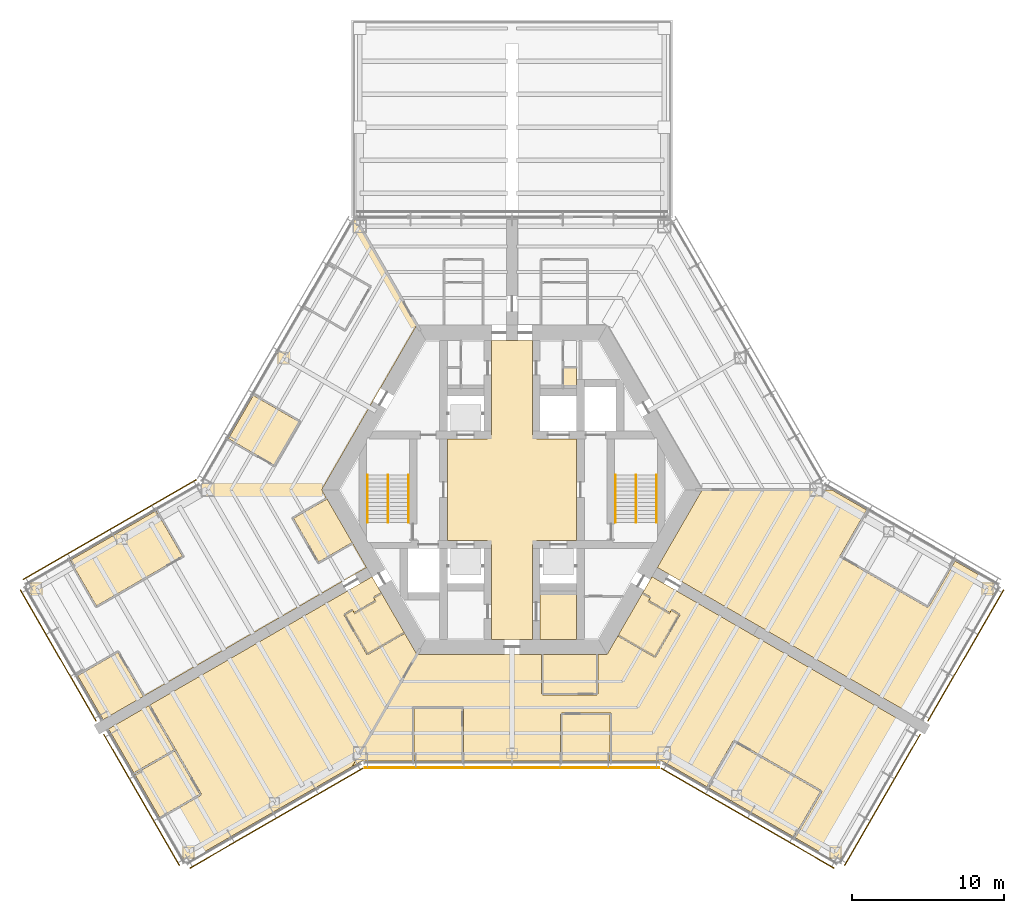
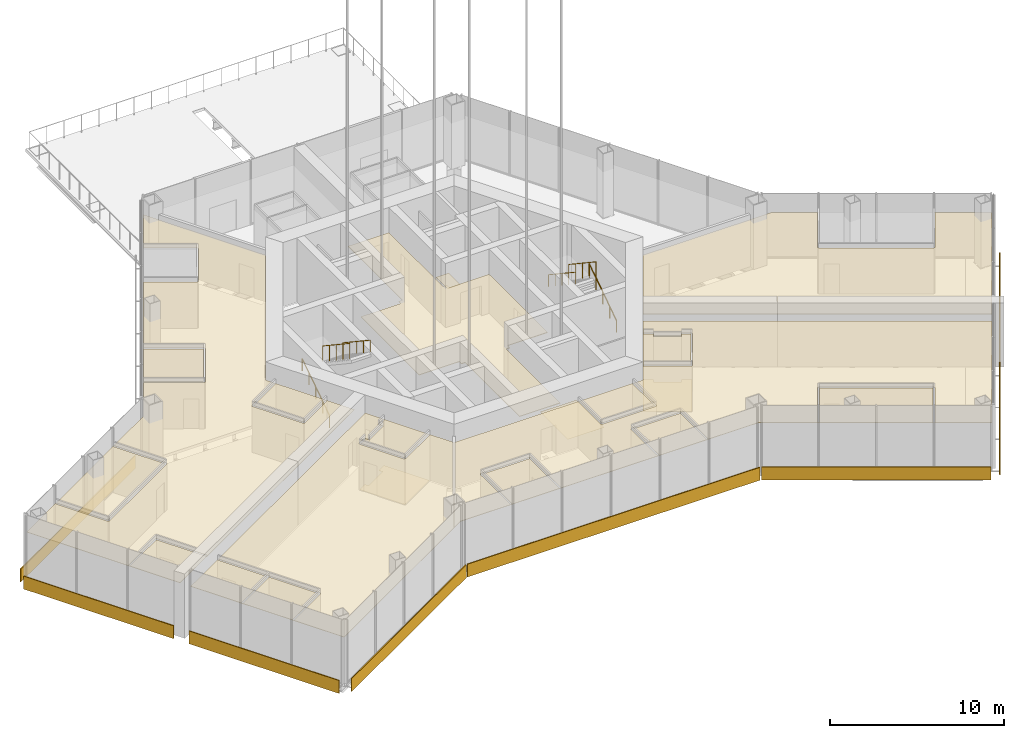
# One storey, part 16 of 18: 21 coverings, 8 shading devices, 6 railings.
"""IFC4 building model written with IfcOpenShell, lengths in metres."""

from ifc_helpers import new_model, si_unit, direction, frame, origin, origin_2d, place, context, subcontext, project, spatial, polyline, rectangle, circle, outline, extrude, material, layer, layer_set, type_object, element, save


model = new_model("IFC4")

# Units and contexts
model_context = context("Model", 3, precision=1e-05, world=origin(), true_north=direction((0.0, 1.0)))
body_context = subcontext(model_context, "Body", "Model", "MODEL_VIEW")
ifc_project = project(units=[si_unit("LENGTHUNIT", "METRE"), si_unit("AREAUNIT", "SQUARE_METRE"), si_unit("VOLUMEUNIT", "CUBIC_METRE"), si_unit("PLANEANGLEUNIT", "RADIAN"), si_unit("MASSUNIT", "GRAM", prefix="KILO")], contexts=[model_context])

# Site, building, storey
site_placement = place(None, origin())
site = spatial("IfcSite", under=ifc_project, at=site_placement, CompositionType="ELEMENT")
building_placement = place(site_placement, origin())
building = spatial("IfcBuilding", under=site, at=building_placement, Name="Kasaneha Research Tower", CompositionType="ELEMENT")
storey_placement = place(building_placement, frame((0.0, 0.0, 128.60009765625)))
storey = spatial("IfcBuildingStorey", under=building, at=storey_placement, Name="L32", CompositionType="ELEMENT", Elevation=128.60009765625)

# Coverings
ifc_material_1 = material(Name="Perforated aluminium acoustic ceiling", Category="aluminium")
ifc_layer_1 = layer(ifc_material_1, 0.030029296875)
ifc_layer_set_1 = layer_set([ifc_layer_1], Name="Acoustic ceiling 30")
covering_type_1 = type_object("IfcCoveringType", Name="Acoustic ceiling 30", PredefinedType="CEILING", material=ifc_layer_set_1)
covering_1_placement = place(storey_placement, frame((0.0, 0.0, 3.199951171875)))
element("IfcCovering", 1, at=covering_1_placement, inside=storey, type_object=covering_type_1, Name="Ceiling L32-36", PredefinedType="CEILING", context=body_context, shape_type="SweptSolid", body=[
    extrude(outline(polyline([(-16.9716796875, 6.2451171875), (-16.94580078125, 6.230224609375), (-16.970703125, 6.18701171875), (-14.0087890625, 4.476806640625), (-15.65087890625, 1.633056640625), (-18.621337890625, 3.347900390625), (-18.646240234375, 3.3046875), (-18.66357421875, 3.314697265625), (-16.9716796875, 6.2451171875)])), origin(), (0.0, 0.0, 1.0), 0.030029296875),
])
covering_2_placement = place(storey_placement, frame((0.0, 0.0, 3.199951171875)))
element("IfcCovering", 2, at=covering_2_placement, inside=storey, type_object=covering_type_1, Name="Ceiling L32-37", PredefinedType="CEILING", context=body_context, shape_type="SweptSolid", body=[
    extrude(outline(polyline([(-23.34228515625, -1.352294921875), (-23.332275390625, -1.36962890625), (-23.37548828125, -1.39453125), (-21.660400390625, -4.364990234375), (-27.306640625, -7.625), (-29.0166015625, -4.6630859375), (-29.06005859375, -4.68798828125), (-29.074951171875, -4.662109375), (-23.34228515625, -1.352294921875)])), origin(), (0.0, 0.0, 1.0), 0.030029296875),
])
covering_3_placement = place(storey_placement, frame((0.0, 0.0, 3.199951171875)))
element("IfcCovering", 3, at=covering_3_placement, inside=storey, type_object=covering_type_1, Name="Ceiling L32-38", PredefinedType="CEILING", context=body_context, shape_type="SweptSolid", body=[
    extrude(outline(polyline([(-10.474609375, -3.50732421875), (-10.491943359375, -3.51708984375), (-10.51708984375, -3.473876953125), (-12.7080078125, -4.739013671875), (-14.358154296875, -1.881103515625), (-12.1669921875, -0.6162109375), (-12.192138671875, -0.57275390625), (-12.1748046875, -0.562744140625), (-10.474609375, -3.50732421875)])), origin(), (0.0, 0.0, 1.0), 0.030029296875),
])
covering_4_placement = place(storey_placement, frame((0.0, 0.0, 3.199951171875)))
element("IfcCovering", 4, at=covering_4_placement, inside=storey, type_object=covering_type_1, Name="Ceiling L32-40", PredefinedType="CEILING", context=body_context, shape_type="SweptSolid", body=[
    extrude(outline(polyline([(-28.55810546875, -12.177001953125), (-28.531982421875, -12.162109375), (-28.507080078125, -12.205322265625), (-25.8916015625, -10.6953125), (-24.235107421875, -13.564697265625), (-24.191650390625, -13.539794921875), (-24.181640625, -13.55712890625), (-26.866455078125, -15.107177734375), (-28.55810546875, -12.177001953125)])), origin(), (0.0, 0.0, 1.0), 0.030029296875),
])
covering_5_placement = place(storey_placement, frame((0.0, 0.0, 3.199951171875)))
element("IfcCovering", 5, at=covering_5_placement, inside=storey, type_object=covering_type_1, Name="Ceiling L32-41", PredefinedType="CEILING", context=body_context, shape_type="SweptSolid", body=[
    extrude(outline(polyline([(-12.175048828125, -0.562255859375), (-12.1923828125, -0.572265625), (-12.217041015625, -0.529541015625), (-14.451416015625, -1.819580078125), (-14.426513671875, -1.862548828125), (-14.4267578125, -1.862548828125), (-14.4267578125, -1.863037109375), (-14.4697265625, -1.8876953125), (-12.769775390625, -4.832275390625), (-12.726806640625, -4.807373046875), (-12.7265625, -4.8076171875), (-12.726318359375, -4.8076171875), (-12.701416015625, -4.8505859375), (-10.467041015625, -3.560546875), (-10.49169921875, -3.517578125), (-10.474365234375, -3.507568359375), (-9.5498046875, -5.109375), (-10.3291015625, -5.559326171875), (-10.3291015625, -5.559326171875), (-18.001220703125, -9.98876953125), (-24.18115234375, -13.556884765625), (-24.191162109375, -13.53955078125), (-24.1484375, -13.514892578125), (-25.830078125, -10.60205078125), (-25.873046875, -10.626953125), (-25.873291015625, -10.626708984375), (-25.87353515625, -10.626708984375), (-25.898193359375, -10.583740234375), (-28.556884765625, -12.118896484375), (-28.5322265625, -12.16162109375), (-28.558349609375, -12.1767578125), (-31.94140625, -6.31689453125), (-29.075439453125, -4.662353515625), (-29.060302734375, -4.688232421875), (-29.103271484375, -4.713134765625), (-27.368408203125, -7.71826171875), (-27.324951171875, -7.693115234375), (-27.32470703125, -7.693603515625), (-27.32470703125, -7.693603515625), (-27.300048828125, -7.736572265625), (-21.567138671875, -4.4267578125), (-21.592041015625, -4.3837890625), (-21.591796875, -4.3837890625), (-21.592041015625, -4.38330078125), (-21.548828125, -4.3583984375), (-23.288818359375, -1.344482421875), (-23.331787109375, -1.369384765625), (-23.341796875, -1.35205078125), (-20.365966796875, 0.365966796875), (-18.663818359375, 3.314208984375), (-18.646484375, 3.30419921875), (-18.67138671875, 3.26123046875), (-15.657470703125, 1.521240234375), (-15.632568359375, 1.564453125), (-15.632080078125, 1.564208984375), (-15.632080078125, 1.564453125), (-15.58935546875, 1.53955078125), (-13.897216796875, 4.47021484375), (-13.940185546875, 4.4951171875), (-13.940185546875, 4.495361328125), (-13.9404296875, 4.49560546875), (-13.91552734375, 4.53857421875), (-16.920654296875, 6.2734375), (-16.945556640625, 6.230712890625), (-16.971435546875, 6.24560546875), (-13.64111328125, 12.01416015625), (-13.62353515625, 12.004150390625), (-13.6484375, 11.961181640625), (-10.981201171875, 10.421142578125), (-10.9560546875, 10.464599609375), (-10.912841796875, 10.439453125), (-9.247314453125, 13.32421875), (-9.290283203125, 13.34912109375), (-9.2900390625, 13.349365234375), (-9.29052734375, 13.349609375), (-9.265625, 13.392578125), (-11.92431640625, 14.927490234375), (-11.948974609375, 14.884765625), (-11.97509765625, 14.899658203125), (-10.28857421875, 17.820556640625), (-6.249755859375, 10.824951171875), (-12.49951171875, 0.0), (-12.175048828125, -0.562255859375)])), origin(), (0.0, 0.0, 1.0), 0.030029296875),
])
covering_6_placement = place(storey_placement, frame((0.0, 0.0, 3.199951171875)))
element("IfcCovering", 6, at=covering_6_placement, inside=storey, type_object=covering_type_1, Name="Ceiling L32-42", PredefinedType="CEILING", context=body_context, shape_type="SweptSolid", body=[
    extrude(outline(polyline([(-10.35498046875, -8.11474609375), (-10.35498046875, -8.11474609375), (-10.330078125, -8.157958984375), (-8.9443359375, -7.35791015625), (-8.994384765625, -7.271240234375), (-8.994384765625, -7.271240234375), (-9.09423828125, -7.09814453125), (-9.09423828125, -7.09814453125), (-9.0693359375, -7.141357421875), (-8.56689453125, -6.851318359375), (-8.592041015625, -6.80810546875), (-8.57470703125, -6.798095703125), (-7.07470703125, -9.396240234375), (-7.092041015625, -9.40625), (-7.116943359375, -9.36279296875), (-9.481201171875, -10.727783203125), (-10.931396484375, -8.21630859375), (-10.455078125, -7.94140625), (-10.35498046875, -8.11474609375)])), origin(), (0.0, 0.0, 1.0), 0.030029296875),
])
covering_7_placement = place(storey_placement, frame((0.0, 0.0, 3.199951171875)))
element("IfcCovering", 7, at=covering_7_placement, inside=storey, type_object=covering_type_1, Name="Ceiling L32-43", PredefinedType="CEILING", context=body_context, shape_type="SweptSolid", body=[
    extrude(outline(polyline([(-24.82470703125, -18.643310546875), (-24.798583984375, -18.62841796875), (-24.773681640625, -18.671630859375), (-22.15966796875, -17.168212890625), (-20.5166015625, -20.005126953125), (-23.132080078125, -21.51513671875), (-23.10693359375, -21.558349609375), (-23.133056640625, -21.573486328125), (-24.82470703125, -18.643310546875)])), origin(), (0.0, 0.0, 1.0), 0.030029296875),
])
covering_8_placement = place(storey_placement, frame((0.0, 0.0, 3.199951171875)))
element("IfcCovering", 8, at=covering_8_placement, inside=storey, type_object=covering_type_1, Name="Ceiling L32-44", PredefinedType="CEILING", context=body_context, shape_type="SweptSolid", body=[
    extrude(outline(polyline([(-23.83154296875, -14.163330078125), (-23.82177734375, -14.1806640625), (-23.864990234375, -14.20556640625), (-22.209716796875, -17.08154296875), (-24.82373046875, -18.5849609375), (-24.798583984375, -18.62841796875), (-24.82470703125, -18.643310546875), (-26.516357421875, -15.71337890625), (-23.83154296875, -14.163330078125)])), origin(), (0.0, 0.0, 1.0), 0.030029296875),
])
covering_9_placement = place(storey_placement, frame((0.0, 0.0, 3.199951171875)))
element("IfcCovering", 9, at=covering_9_placement, inside=storey, type_object=covering_type_1, Name="Ceiling L32-45", PredefinedType="CEILING", context=body_context, shape_type="SweptSolid", body=[
    extrude(outline(polyline([(-9.979248046875, -6.16552734375), (-9.979248046875, -6.16552734375), (-9.19970703125, -5.715576171875), (-8.574951171875, -6.797607421875), (-8.59228515625, -6.8076171875), (-8.616943359375, -6.764892578125), (-9.119384765625, -7.0546875), (-9.094482421875, -7.09765625), (-9.0947265625, -7.097900390625), (-8.99462890625, -7.271484375), (-10.379638671875, -8.071044921875), (-10.47998046875, -7.897705078125), (-10.480224609375, -7.897705078125), (-10.5048828125, -7.854736328125), (-11.024658203125, -8.15478515625), (-10.999755859375, -8.19775390625), (-11.0, -8.197998046875), (-11.0, -8.1982421875), (-11.04296875, -8.22314453125), (-9.54296875, -10.8212890625), (-9.5, -10.79638671875), (-9.5, -10.796630859375), (-9.49951171875, -10.79638671875), (-9.474609375, -10.839599609375), (-7.06689453125, -9.449462890625), (-7.091796875, -9.40673828125), (-7.074462890625, -9.396728515625), (-6.249755859375, -10.824951171875), (-10.5, -18.1865234375), (-21.44140625, -24.50341796875), (-23.1328125, -21.573974609375), (-23.106689453125, -21.558837890625), (-23.08203125, -21.601806640625), (-20.42333984375, -20.06689453125), (-20.4482421875, -20.023681640625), (-20.44775390625, -20.0234375), (-20.447998046875, -20.023193359375), (-20.405029296875, -19.99853515625), (-22.1005859375, -17.07080078125), (-23.7783203125, -14.15576171875), (-23.8212890625, -14.180419921875), (-23.831298828125, -14.1630859375), (-10.84521484375, -6.66552734375), (-10.84521484375, -6.66552734375), (-9.979248046875, -6.16552734375)])), origin(), (0.0, 0.0, 1.0), 0.030029296875),
])
covering_10_placement = place(storey_placement, frame((0.0, 0.0, 3.199951171875)))
element("IfcCovering", 10, at=covering_10_placement, inside=storey, type_object=covering_type_1, Name="Ceiling L32-47", PredefinedType="CEILING", context=body_context, shape_type="SweptSolid", body=[
    extrude(outline(polyline([(9.5498046875, -5.109375), (12.49951171875, 0.0), (21.0, 0.0), (23.341796875, -1.35205078125), (23.331787109375, -1.369384765625), (23.288818359375, -1.344482421875), (21.548828125, -4.3583984375), (21.592041015625, -4.38330078125), (21.591796875, -4.3837890625), (21.592041015625, -4.3837890625), (21.567138671875, -4.4267578125), (27.300048828125, -7.736572265625), (27.324951171875, -7.693115234375), (27.368408203125, -7.71826171875), (29.103271484375, -4.713134765625), (29.060302734375, -4.688232421875), (29.075439453125, -4.662353515625), (31.94140625, -6.31689453125), (26.866455078125, -15.107177734375), (14.286376953125, -7.843994140625), (10.3291015625, -5.559326171875), (10.3291015625, -5.559326171875), (9.5498046875, -5.109375)])), origin(), (0.0, 0.0, 1.0), 0.030029296875),
])
covering_11_placement = place(storey_placement, frame((0.0, 0.0, 3.199951171875)))
element("IfcCovering", 11, at=covering_11_placement, inside=storey, type_object=covering_type_1, Name="Ceiling L32-48", PredefinedType="CEILING", context=body_context, shape_type="SweptSolid", body=[
    extrude(outline(polyline([(8.57470703125, -6.798095703125), (8.592041015625, -6.80810546875), (8.56689453125, -6.851318359375), (9.0693359375, -7.141357421875), (9.09423828125, -7.09814453125), (9.09423828125, -7.09814453125), (8.994384765625, -7.271240234375), (8.994384765625, -7.271240234375), (8.9443359375, -7.35791015625), (10.330078125, -8.157958984375), (10.35498046875, -8.11474609375), (10.35498046875, -8.11474609375), (10.455078125, -7.94140625), (10.931396484375, -8.21630859375), (9.38134765625, -10.901123046875), (7.01708984375, -9.5361328125), (6.991943359375, -9.579345703125), (6.974609375, -9.5693359375), (8.57470703125, -6.798095703125)])), origin(), (0.0, 0.0, 1.0), 0.030029296875),
])
covering_12_placement = place(storey_placement, frame((0.0, 0.0, 3.199951171875)))
element("IfcCovering", 12, at=covering_12_placement, inside=storey, type_object=covering_type_1, Name="Ceiling L32-49", PredefinedType="CEILING", context=body_context, shape_type="SweptSolid", body=[
    extrude(outline(polyline([(-6.492919921875, -17.820556640625), (-6.492919921875, -17.800537109375), (-6.44287109375, -17.800537109375), (-6.44287109375, -14.37060546875), (-3.29638671875, -14.37060546875), (-3.29638671875, -17.800537109375), (-3.246337890625, -17.800537109375), (-3.246337890625, -17.820556640625), (-6.492919921875, -17.820556640625)])), origin(), (0.0, 0.0, 1.0), 0.030029296875),
])
covering_13_placement = place(storey_placement, frame((0.0, 0.0, 3.199951171875)))
element("IfcCovering", 13, at=covering_13_placement, inside=storey, type_object=covering_type_1, Name="Ceiling L32-50", PredefinedType="CEILING", context=body_context, shape_type="SweptSolid", body=[
    extrude(outline(polyline([(12.84228515625, -19.538818359375), (12.857177734375, -19.5126953125), (12.900390625, -19.537841796875), (14.610595703125, -16.575927734375), (20.256591796875, -19.835693359375), (18.541748046875, -22.806396484375), (18.5849609375, -22.831298828125), (18.574951171875, -22.8486328125), (12.84228515625, -19.538818359375)])), origin(), (0.0, 0.0, 1.0), 0.030029296875),
])
covering_14_placement = place(storey_placement, frame((0.0, 0.0, 3.199951171875)))
element("IfcCovering", 14, at=covering_14_placement, inside=storey, type_object=covering_type_1, Name="Ceiling L32-51", PredefinedType="CEILING", context=body_context, shape_type="SweptSolid", body=[
    extrude(outline(polyline([(5.60009765625, -10.824951171875), (5.60009765625, -10.844970703125), (5.550048828125, -10.844970703125), (5.550048828125, -13.375), (2.050048828125, -13.375), (2.050048828125, -10.844970703125), (2.0, -10.844970703125), (2.0, -10.824951171875), (5.60009765625, -10.824951171875)])), origin(), (0.0, 0.0, 1.0), 0.030029296875),
])
covering_15_placement = place(storey_placement, frame((0.0, 0.0, 3.199951171875)))
element("IfcCovering", 15, at=covering_15_placement, inside=storey, type_object=covering_type_1, Name="Ceiling L32-52", PredefinedType="CEILING", context=body_context, shape_type="SweptSolid", body=[
    extrude(outline(polyline([(3.246337890625, -17.820556640625), (3.246337890625, -17.800537109375), (3.29638671875, -17.800537109375), (3.29638671875, -14.7705078125), (6.44287109375, -14.7705078125), (6.44287109375, -17.800537109375), (6.492919921875, -17.800537109375), (6.492919921875, -17.820556640625), (3.246337890625, -17.820556640625)])), origin(), (0.0, 0.0, 1.0), 0.030029296875),
])
covering_16_placement = place(storey_placement, frame((0.0, 0.0, 3.199951171875)))
element("IfcCovering", 16, at=covering_16_placement, inside=storey, type_object=covering_type_1, Name="Ceiling L32-53", PredefinedType="CEILING", context=body_context, shape_type="SweptSolid", body=[
    extrude(outline(polyline([(6.492919921875, -14.719970703125), (6.492919921875, -14.67041015625), (3.246337890625, -14.67041015625), (3.246337890625, -14.72021484375), (3.24609375, -14.72021484375), (3.24609375, -14.720458984375), (3.1962890625, -14.720458984375), (3.1962890625, -17.800537109375), (3.245849609375, -17.800537109375), (3.245849609375, -17.820556640625), (-3.245849609375, -17.820556640625), (-3.245849609375, -17.800537109375), (-3.1962890625, -17.800537109375), (-3.1962890625, -14.320556640625), (-3.24609375, -14.320556640625), (-3.24609375, -14.320068359375), (-3.246337890625, -14.320068359375), (-3.246337890625, -14.2705078125), (-6.492919921875, -14.2705078125), (-6.492919921875, -14.320068359375), (-6.492919921875, -14.320068359375), (-6.492919921875, -14.320556640625), (-6.542724609375, -14.320556640625), (-6.542724609375, -17.800537109375), (-6.493408203125, -17.800537109375), (-6.493408203125, -17.820556640625), (-9.865966796875, -17.820556640625), (-10.5, -18.1865234375), (-6.249755859375, -10.824951171875), (1.99951171875, -10.824951171875), (1.99951171875, -10.844970703125), (1.949951171875, -10.844970703125), (1.949951171875, -13.425048828125), (1.999755859375, -13.425048828125), (1.999755859375, -13.425537109375), (2.0, -13.425537109375), (2.0, -13.47509765625), (5.60009765625, -13.47509765625), (5.60009765625, -13.425537109375), (5.600341796875, -13.425537109375), (5.600341796875, -13.425048828125), (5.64990234375, -13.425048828125), (5.64990234375, -10.844970703125), (5.6005859375, -10.844970703125), (5.6005859375, -10.824951171875), (6.249755859375, -10.824951171875), (6.974365234375, -9.56982421875), (6.99169921875, -9.579833984375), (6.967041015625, -9.622802734375), (9.37451171875, -11.0126953125), (9.3994140625, -10.9697265625), (9.39990234375, -10.969970703125), (9.39990234375, -10.9697265625), (9.44287109375, -10.994384765625), (11.04296875, -8.22314453125), (11.0, -8.1982421875), (11.0, -8.1982421875), (10.99951171875, -8.197998046875), (11.024658203125, -8.15478515625), (10.5048828125, -7.854736328125), (10.480224609375, -7.897705078125), (10.47998046875, -7.897705078125), (10.379638671875, -8.071044921875), (8.99462890625, -7.271484375), (9.0947265625, -7.097900390625), (9.094482421875, -7.09765625), (9.119384765625, -7.0546875), (8.616943359375, -6.764892578125), (8.59228515625, -6.8076171875), (8.574951171875, -6.797607421875), (9.19970703125, -5.715576171875), (9.979248046875, -6.16552734375), (9.979248046875, -6.16552734375), (10.84521484375, -6.66552734375), (10.84521484375, -6.66552734375), (26.516357421875, -15.71337890625), (21.44140625, -24.50341796875), (18.575439453125, -22.848876953125), (18.58544921875, -22.83154296875), (18.62841796875, -22.856201171875), (20.368408203125, -19.842529296875), (20.3251953125, -19.817626953125), (20.325439453125, -19.817138671875), (20.3251953125, -19.817138671875), (20.35009765625, -19.774169921875), (14.6171875, -16.46435546875), (14.592529296875, -16.50732421875), (14.592529296875, -16.50732421875), (14.59228515625, -16.507568359375), (14.548828125, -16.482666015625), (12.81396484375, -19.48779296875), (12.856689453125, -19.512451171875), (12.841796875, -19.53857421875), (9.865966796875, -17.820556640625), (6.493408203125, -17.820556640625), (6.493408203125, -17.800537109375), (6.542724609375, -17.800537109375), (6.542724609375, -14.720458984375), (6.492919921875, -14.720458984375), (6.492919921875, -14.719970703125), (6.492919921875, -14.719970703125)])), origin(), (0.0, 0.0, 1.0), 0.030029296875),
])
ifc_material_2 = material(Name="Aluminium panel ceiling", Category="aluminium")
ifc_layer_2 = layer(ifc_material_2, 0.0400390625)
ifc_layer_set_2 = layer_set([ifc_layer_2], Name="Lift lobby ceiling 40")
covering_type_2 = type_object("IfcCoveringType", Name="Lift lobby ceiling 40", PredefinedType="CEILING", material=ifc_layer_set_2)
covering_17_placement = place(storey_placement, frame((0.0, 0.0, 2.699951171875)))
element("IfcCovering", 17, at=covering_17_placement, inside=storey, type_object=covering_type_2, Name="Ceiling L32-01", PredefinedType="CEILING", context=body_context, shape_type="SweptSolid", body=[
    extrude(outline(polyline([(1.35009765625, 9.824951171875), (1.35009765625, 3.60009765625), (1.60009765625, 3.60009765625), (1.60009765625, 3.35009765625), (4.25, 3.35009765625), (4.25, -3.35009765625), (1.60009765625, -3.35009765625), (1.60009765625, -3.60009765625), (1.35009765625, -3.60009765625), (1.35009765625, -9.824951171875), (-1.35009765625, -9.824951171875), (-1.35009765625, -3.60009765625), (-1.60009765625, -3.60009765625), (-1.60009765625, -3.35009765625), (-4.25, -3.35009765625), (-4.25, 3.35009765625), (-1.60009765625, 3.35009765625), (-1.60009765625, 3.60009765625), (-1.35009765625, 3.60009765625), (-1.35009765625, 9.824951171875), (1.35009765625, 9.824951171875)])), origin(), (0.0, 0.0, 1.0), 0.0400390625),
])

# Railings
ifc_material_3 = material(Name="Steel", Category="steel")
railing_type_1 = type_object("IfcRailingType", Name="Stair balustrade 1100", PredefinedType="GUARDRAIL", material=ifc_material_3)
for number, where, name in (
    (18, (8.14990234375, 0.969970703125, 2.423095703125), "Stair 1 balustrade L32"),
    (19, (-8.14990234375, 0.969970703125, 2.423095703125), "Stair 2 balustrade L32"),
):
    element("IfcRailing", number, at=place(storey_placement, frame(where)), inside=storey, type_object=railing_type_1, Name=name, PredefinedType="GUARDRAIL", context=body_context, shape_type="SweptSolid", body=[
        extrude(circle(Radius=0.02392578125, at=origin_2d()), frame((0.0, 0.0, 1.076171875), z_axis=(0.0, -0.832420903958, 0.554143879018), x_axis=(1.0, 0.0, 0.0)), (0.0, 0.0, 1.0), 3.748046875),
        extrude(circle(Radius=0.02099609375, at=origin_2d()), origin(), (0.0, 0.0, 1.0), 1.052001953125),
        extrude(circle(Radius=0.02099609375, at=origin_2d()), frame((0.0, -0.780029296875, 0.519287109375)), (0.0, 0.0, 1.0), 1.052001953125),
        extrude(circle(Radius=0.02099609375, at=origin_2d()), frame((0.0, -1.56005859375, 1.03857421875)), (0.0, 0.0, 1.0), 1.052001953125),
        extrude(circle(Radius=0.02099609375, at=origin_2d()), frame((0.0, -2.33984375, 1.5576171875)), (0.0, 0.0, 1.0), 1.052001953125),
        extrude(circle(Radius=0.02099609375, at=origin_2d()), frame((0.0, -3.119873046875, 2.076904296875)), (0.0, 0.0, 1.0), 1.052001953125),
    ])
ifc_material_4 = material(Name="Steel", Category="steel")
railing_type_2 = type_object("IfcRailingType", Name="Stair handrail 850", PredefinedType="HANDRAIL", material=ifc_material_4)
railing_1_placement = place(storey_placement, frame((9.5, -2.14990234375, 0.173095703125)))
element("IfcRailing", 20, at=railing_1_placement, inside=storey, type_object=railing_type_2, Name="Stair 1 handrail L32", PredefinedType="HANDRAIL", context=body_context, shape_type="SweptSolid", body=[
    extrude(circle(Radius=0.02392578125, at=origin_2d()), frame((0.0, 0.0, 0.826171875), z_axis=(0.0, 0.832420903958, 0.554143879018), x_axis=(-1.0, 0.0, 0.0)), (0.0, 0.0, 1.0), 3.748046875),
    extrude(circle(Radius=0.02099609375, at=origin_2d()), origin(), (0.0, 0.0, 1.0), 0.802001953125),
    extrude(circle(Radius=0.02099609375, at=origin_2d()), frame((0.0, 0.780029296875, 0.519287109375)), (0.0, 0.0, 1.0), 0.802001953125),
    extrude(circle(Radius=0.02099609375, at=origin_2d()), frame((0.0, 1.56005859375, 1.03857421875)), (0.0, 0.0, 1.0), 0.802001953125),
    extrude(circle(Radius=0.02099609375, at=origin_2d()), frame((0.0, 2.33984375, 1.5576171875)), (0.0, 0.0, 1.0), 0.802001953125),
    extrude(circle(Radius=0.02099609375, at=origin_2d()), frame((0.0, 3.119873046875, 2.076904296875)), (0.0, 0.0, 1.0), 0.802001953125),
])
railing_2_placement = place(storey_placement, frame((6.800048828125, 0.969970703125, 2.423095703125)))
element("IfcRailing", 21, at=railing_2_placement, inside=storey, type_object=railing_type_2, Name="Stair 1 handrail L32", PredefinedType="HANDRAIL", context=body_context, shape_type="SweptSolid", body=[
    extrude(circle(Radius=0.02392578125, at=origin_2d()), frame((0.0, 0.0, 0.826171875), z_axis=(0.0, -0.832420903958, 0.554143879018), x_axis=(1.0, 0.0, 0.0)), (0.0, 0.0, 1.0), 3.748046875),
    extrude(circle(Radius=0.02099609375, at=origin_2d()), origin(), (0.0, 0.0, 1.0), 0.802001953125),
    extrude(circle(Radius=0.02099609375, at=origin_2d()), frame((0.0, -0.780029296875, 0.519287109375)), (0.0, 0.0, 1.0), 0.802001953125),
    extrude(circle(Radius=0.02099609375, at=origin_2d()), frame((0.0, -1.56005859375, 1.03857421875)), (0.0, 0.0, 1.0), 0.802001953125),
    extrude(circle(Radius=0.02099609375, at=origin_2d()), frame((0.0, -2.33984375, 1.5576171875)), (0.0, 0.0, 1.0), 0.802001953125),
    extrude(circle(Radius=0.02099609375, at=origin_2d()), frame((0.0, -3.119873046875, 2.076904296875)), (0.0, 0.0, 1.0), 0.802001953125),
])
railing_3_placement = place(storey_placement, frame((-9.5, -2.14990234375, 0.173095703125)))
element("IfcRailing", 22, at=railing_3_placement, inside=storey, type_object=railing_type_2, Name="Stair 2 handrail L32", PredefinedType="HANDRAIL", context=body_context, shape_type="SweptSolid", body=[
    extrude(circle(Radius=0.02392578125, at=origin_2d()), frame((0.0, 0.0, 0.826171875), z_axis=(0.0, 0.832420903958, 0.554143879018), x_axis=(-1.0, 0.0, 0.0)), (0.0, 0.0, 1.0), 3.748046875),
    extrude(circle(Radius=0.02099609375, at=origin_2d()), origin(), (0.0, 0.0, 1.0), 0.802001953125),
    extrude(circle(Radius=0.02099609375, at=origin_2d()), frame((0.0, 0.780029296875, 0.519287109375)), (0.0, 0.0, 1.0), 0.802001953125),
    extrude(circle(Radius=0.02099609375, at=origin_2d()), frame((0.0, 1.56005859375, 1.03857421875)), (0.0, 0.0, 1.0), 0.802001953125),
    extrude(circle(Radius=0.02099609375, at=origin_2d()), frame((0.0, 2.33984375, 1.5576171875)), (0.0, 0.0, 1.0), 0.802001953125),
    extrude(circle(Radius=0.02099609375, at=origin_2d()), frame((0.0, 3.119873046875, 2.076904296875)), (0.0, 0.0, 1.0), 0.802001953125),
])
railing_4_placement = place(storey_placement, frame((-6.800048828125, 0.969970703125, 2.423095703125)))
element("IfcRailing", 23, at=railing_4_placement, inside=storey, type_object=railing_type_2, Name="Stair 2 handrail L32", PredefinedType="HANDRAIL", context=body_context, shape_type="SweptSolid", body=[
    extrude(circle(Radius=0.02392578125, at=origin_2d()), frame((0.0, 0.0, 0.826171875), z_axis=(0.0, -0.832420903958, 0.554143879018), x_axis=(1.0, 0.0, 0.0)), (0.0, 0.0, 1.0), 3.748046875),
    extrude(circle(Radius=0.02099609375, at=origin_2d()), origin(), (0.0, 0.0, 1.0), 0.802001953125),
    extrude(circle(Radius=0.02099609375, at=origin_2d()), frame((0.0, -0.780029296875, 0.519287109375)), (0.0, 0.0, 1.0), 0.802001953125),
    extrude(circle(Radius=0.02099609375, at=origin_2d()), frame((0.0, -1.56005859375, 1.03857421875)), (0.0, 0.0, 1.0), 0.802001953125),
    extrude(circle(Radius=0.02099609375, at=origin_2d()), frame((0.0, -2.33984375, 1.5576171875)), (0.0, 0.0, 1.0), 0.802001953125),
    extrude(circle(Radius=0.02099609375, at=origin_2d()), frame((0.0, -3.119873046875, 2.076904296875)), (0.0, 0.0, 1.0), 0.802001953125),
])

# Shading devices
ifc_material_5 = material(Name="Terracotta", Category="masonry")
ifc_layer_3 = layer(ifc_material_5, 0.06005859375)
ifc_layer_set_3 = layer_set([ifc_layer_3], Name="Terracotta baguette screen")
shading_device_type = type_object("IfcShadingDeviceType", Name="Terracotta baguette screen", PredefinedType="USERDEFINED", material=ifc_layer_set_3)
shading_device_1_placement = place(storey_placement, frame((0.0, -18.2705078125, -0.449951171875), z_axis=(0.0, 0.0, 1.0), x_axis=(1.0, 0.0, 0.0)))
element("IfcShadingDevice", 24, at=shading_device_1_placement, inside=storey, type_object=shading_device_type, Name="Baguette screen L32 01", ObjectType="TERRACOTTA BAGUETTE SCREEN", PredefinedType="USERDEFINED", context=body_context, shape_type="SweptSolid", body=[
    extrude(rectangle(XDim=19.37841796875, YDim=0.06005859375, at=origin_2d()), origin(), (0.0, 0.0, 1.0), 0.89990234375),
])
shading_device_2_placement = place(storey_placement, frame((15.483642578125, -21.58349609375, -0.449951171875), z_axis=(0.0, 0.0, 1.0), x_axis=(0.866025411464, -0.499999986699, 0.0)))
element("IfcShadingDevice", 25, at=shading_device_2_placement, inside=storey, type_object=shading_device_type, Name="Baguette screen L32 02", ObjectType="TERRACOTTA BAGUETTE SCREEN", PredefinedType="USERDEFINED", context=body_context, shape_type="SweptSolid", body=[
    extrude(rectangle(XDim=13.13916015625, YDim=0.06005859375, at=origin_2d()), origin(), (0.0, 0.0, 1.0), 0.89990234375),
])
for number, where, z_axis, x_axis, name in (
    (26, (24.343505859375, -20.376708984375, -0.449951171875), (0.0, 0.0, 1.0), (0.500000011442, 0.866025397178, 0.0), "Baguette screen L32 03"),
    (27, (29.818603515625, -10.893798828125, -0.449951171875), (0.0, 0.0, 1.0), (0.500000011442, 0.866025397178, 0.0), "Baguette screen L32 04"),
):
    element("IfcShadingDevice", number, at=place(storey_placement, frame(where, z_axis=z_axis, x_axis=x_axis)), inside=storey, type_object=shading_device_type, Name=name, ObjectType="TERRACOTTA BAGUETTE SCREEN", PredefinedType="USERDEFINED", context=body_context, shape_type="SweptSolid", body=[
        extrude(rectangle(XDim=9.949951171875, YDim=0.06005859375, at=origin_2d()), origin(), (0.0, 0.0, 1.0), 0.89990234375),
    ])
shading_device_3_placement = place(storey_placement, frame((-26.43359375, -2.617431640625, -0.449951171875), z_axis=(0.0, 0.0, 1.0), x_axis=(-0.866025411464, -0.499999986699, 0.0)))
element("IfcShadingDevice", 28, at=shading_device_3_placement, inside=storey, type_object=shading_device_type, Name="Baguette screen L32 09", ObjectType="TERRACOTTA BAGUETTE SCREEN", PredefinedType="USERDEFINED", context=body_context, shape_type="SweptSolid", body=[
    extrude(rectangle(XDim=13.13916015625, YDim=0.06005859375, at=origin_2d()), origin(), (0.0, 0.0, 1.0), 0.89990234375),
])
for number, where, z_axis, x_axis, name in (
    (29, (-29.818603515625, -10.893798828125, -0.449951171875), (0.0, 0.0, 1.0), (0.500000011442, -0.866025397178, 0.0), "Baguette screen L32 10"),
    (30, (-24.343505859375, -20.376708984375, -0.449951171875), (0.0, 0.0, 1.0), (0.500000011442, -0.866025397178, 0.0), "Baguette screen L32 11"),
):
    element("IfcShadingDevice", number, at=place(storey_placement, frame(where, z_axis=z_axis, x_axis=x_axis)), inside=storey, type_object=shading_device_type, Name=name, ObjectType="TERRACOTTA BAGUETTE SCREEN", PredefinedType="USERDEFINED", context=body_context, shape_type="SweptSolid", body=[
        extrude(rectangle(XDim=9.949951171875, YDim=0.06005859375, at=origin_2d()), origin(), (0.0, 0.0, 1.0), 0.89990234375),
    ])
shading_device_4_placement = place(storey_placement, frame((-15.483642578125, -21.58349609375, -0.449951171875), z_axis=(0.0, 0.0, 1.0), x_axis=(0.866025411464, 0.499999986699, 0.0)))
element("IfcShadingDevice", 31, at=shading_device_4_placement, inside=storey, type_object=shading_device_type, Name="Baguette screen L32 12", ObjectType="TERRACOTTA BAGUETTE SCREEN", PredefinedType="USERDEFINED", context=body_context, shape_type="SweptSolid", body=[
    extrude(rectangle(XDim=13.13916015625, YDim=0.06005859375, at=origin_2d()), origin(), (0.0, 0.0, 1.0), 0.89990234375),
])

# Coverings
ifc_material_6 = material(Name="Vinyl sheet flooring", Category="plastic")
ifc_layer_4 = layer(ifc_material_6, 0.0048828125)
ifc_layer_set_4 = layer_set([ifc_layer_4], Name="Wet room sheet flooring 5")
covering_type_3 = type_object("IfcCoveringType", Name="Wet room sheet flooring 5", PredefinedType="FLOORING", material=ifc_layer_set_4)
covering_18_placement = place(storey_placement, origin())
element("IfcCovering", 32, at=covering_18_placement, inside=storey, type_object=covering_type_3, Name="Floor finish L32-11", PredefinedType="FLOORING", context=body_context, shape_type="SweptSolid", body=[
    extrude(outline(polyline([(3.39990234375, 6.64990234375), (3.39990234375, 8.0), (4.25, 8.0), (4.25, 7.0), (4.25, 6.64990234375), (3.39990234375, 6.64990234375)])), origin(), (0.0, 0.0, 1.0), 0.0048828125),
])
covering_19_placement = place(storey_placement, origin())
element("IfcCovering", 33, at=covering_19_placement, inside=storey, type_object=covering_type_3, Name="Floor finish L32-13", PredefinedType="FLOORING", context=body_context, shape_type="SweptSolid", body=[
    extrude(outline(polyline([(1.85009765625, -9.824951171875), (1.85009765625, -6.64990234375), (4.25, -6.64990234375), (4.25, -9.824951171875), (1.85009765625, -9.824951171875)])), origin(), (0.0, 0.0, 1.0), 0.0048828125),
])
covering_20_placement = place(storey_placement, origin())
element("IfcCovering", 34, at=covering_20_placement, inside=storey, type_object=covering_type_3, Name="Floor finish L32-42", PredefinedType="FLOORING", context=body_context, shape_type="SweptSolid", body=[
    extrude(outline(polyline([(-10.99951171875, -8.1982421875), (-10.47998046875, -7.898193359375), (-10.35498046875, -8.11474609375), (-8.96923828125, -7.314697265625), (-9.09423828125, -7.09814453125), (-8.57470703125, -6.798095703125), (-7.07470703125, -9.396240234375), (-9.49951171875, -10.796142578125), (-10.99951171875, -8.1982421875)])), origin(), (0.0, 0.0, 1.0), 0.0048828125),
])
covering_21_placement = place(storey_placement, origin())
element("IfcCovering", 35, at=covering_21_placement, inside=storey, type_object=covering_type_3, Name="Floor finish L32-48", PredefinedType="FLOORING", context=body_context, shape_type="SweptSolid", body=[
    extrude(outline(polyline([(9.399658203125, -10.969482421875), (6.974609375, -9.5693359375), (8.57470703125, -6.798095703125), (9.09423828125, -7.09814453125), (8.96923828125, -7.314697265625), (10.35498046875, -8.11474609375), (10.47998046875, -7.898193359375), (10.99951171875, -8.1982421875), (9.399658203125, -10.969482421875)])), origin(), (0.0, 0.0, 1.0), 0.0048828125),
])

save(model, "model.ifc")
